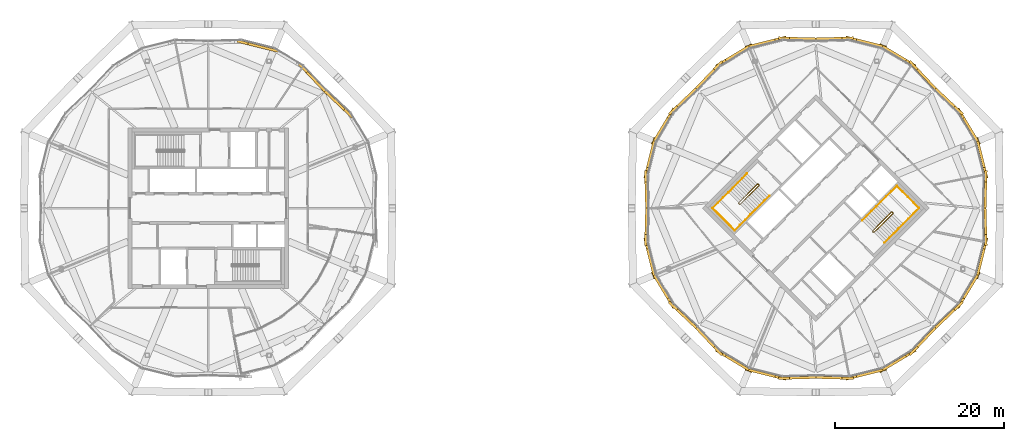
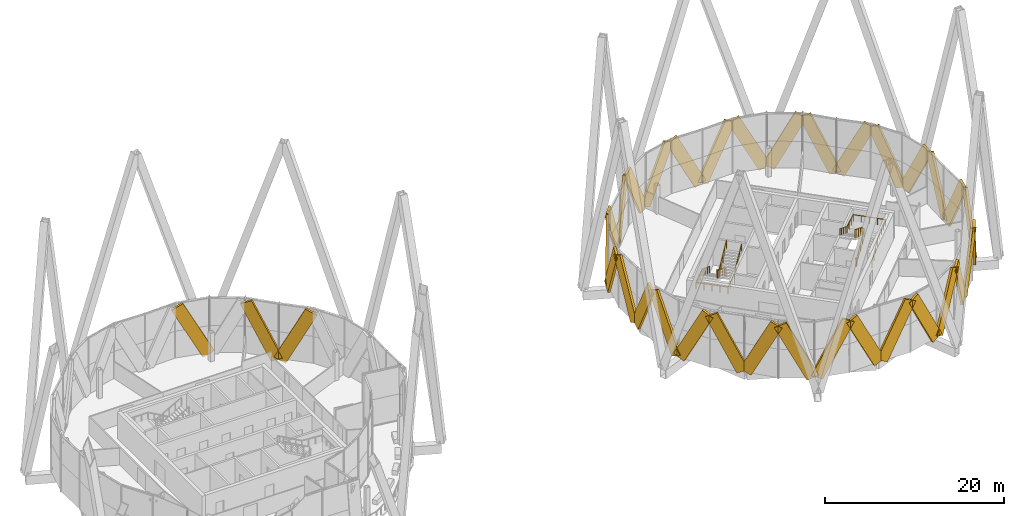
# One storey, part 52 of 53: 35 coverings, 4 railings.
"""IFC4 building model written with IfcOpenShell, lengths in metres."""

from ifc_helpers import new_model, si_unit, direction, frame, origin, origin_2d, place, context, subcontext, project, spatial, rectangle, circle, extrude, material, material_profile, profile_set, type_object, element, save


model = new_model("IFC4")

# Units and contexts
model_context = context("Model", 3, precision=1e-05, world=origin(), true_north=direction((0.0, 1.0)))
body_context = subcontext(model_context, "Body", "Model", "MODEL_VIEW")
ifc_project = project(units=[si_unit("LENGTHUNIT", "METRE"), si_unit("AREAUNIT", "SQUARE_METRE"), si_unit("VOLUMEUNIT", "CUBIC_METRE"), si_unit("PLANEANGLEUNIT", "RADIAN"), si_unit("MASSUNIT", "GRAM", prefix="KILO")], contexts=[model_context])

# Site, building, storey
site_placement = place(None, origin())
site = spatial("IfcSite", under=ifc_project, at=site_placement, CompositionType="ELEMENT")
building_placement = place(site_placement, origin())
building = spatial("IfcBuilding", under=site, at=building_placement, Name="Ogive Gate Towers", CompositionType="ELEMENT")
storey_placement = place(building_placement, frame((0.0, 0.0, 240.60009765625)))
storey = spatial("IfcBuildingStorey", under=building, at=storey_placement, Name="L57", CompositionType="ELEMENT", Elevation=240.60009765625)

# Coverings
ifc_material_1 = material(Name="Pale metal aluminium", Category="aluminium")
ifc_material_profile = material_profile(ifc_material_1, rectangle(XDim=0.300048828125, YDim=1.5, at=origin_2d()), Name="1500 x 300 pale metal aluminium")
ifc_profile_set = profile_set([ifc_material_profile], Name="Pale metal aluminium")
covering_type = type_object("IfcCoveringType", Name="Facade fin 1500 x 300", PredefinedType="CLADDING", material=ifc_profile_set)
covering_1_placement = place(storey_placement, frame((-22.025146484375, 13.722412109375, -0.010986328125), z_axis=(0.328717097101, -0.310616406795, 0.891887054454), x_axis=(0.686812101579, 0.72683501369, 0.0)))
element("IfcCovering", 1, at=covering_1_placement, inside=storey, type_object=covering_type, Name="Facade fin", PredefinedType="CLADDING", context=body_context, shape_type="SweptSolid", body=[
    extrude(rectangle(XDim=0.300048828125, YDim=1.5, at=origin_2d()), origin(), (0.0, 0.0, 1.0), 7.98486328125),
])
covering_2_placement = place(storey_placement, frame((-28.377685546875, 18.769287109375, -0.0068359375), z_axis=(-0.444080094306, 0.110829306845, 0.889106143599), x_axis=(-0.242143432001, -0.970240464183, 0.0)))
element("IfcCovering", 2, at=covering_2_placement, inside=storey, type_object=covering_type, Name="Facade fin", PredefinedType="CLADDING", context=body_context, shape_type="SweptSolid", body=[
    extrude(rectangle(XDim=0.300048828125, YDim=1.5, at=origin_2d()), origin(), (0.0, 0.0, 1.0), 8.000732421875),
])
covering_3_placement = place(storey_placement, frame((-22.277587890625, 13.974853515625, -0.010986328125), z_axis=(-0.310616406795, 0.328717097101, 0.891887054454), x_axis=(-0.72683501369, -0.686812101579, 0.0)))
element("IfcCovering", 3, at=covering_3_placement, inside=storey, type_object=covering_type, Name="Facade fin", PredefinedType="CLADDING", context=body_context, shape_type="SweptSolid", body=[
    extrude(rectangle(XDim=0.300048828125, YDim=1.5, at=origin_2d()), origin(), (0.0, 0.0, 1.0), 7.98486328125),
])
covering_4_placement = place(storey_placement, frame((56.044921875, 0.165283203125, -0.010986328125), z_axis=(0.012780311181, 0.45211115176, 0.891870041038), x_axis=(-0.999600697307, 0.02825678579, 0.0)))
element("IfcCovering", 4, at=covering_4_placement, inside=storey, type_object=covering_type, Name="Facade fin", PredefinedType="CLADDING", context=body_context, shape_type="SweptSolid", body=[
    extrude(rectangle(XDim=0.300048828125, YDim=1.5, at=origin_2d()), origin(), (0.0, 0.0, 1.0), 7.985107421875),
])
for number, where, z_axis, x_axis, name in (
    (5, (55.2158203125, 7.733642578125, -0.0068359375), (0.110800668256, -0.444057098445, 0.889121198282), (0.970252218075, 0.242096330664, 0.0), "Facade fin"),
    (6, (55.055908203125, 8.119140625, -0.0068359375), (-0.235608124143, 0.392364882817, 0.889122382223), (-0.857310495392, -0.514799683848, 0.0), "Facade fin"),
):
    element("IfcCovering", number, at=place(storey_placement, frame(where, z_axis=z_axis, x_axis=x_axis)), inside=storey, type_object=covering_type, Name=name, PredefinedType="CLADDING", context=body_context, shape_type="SweptSolid", body=[
        extrude(rectangle(XDim=0.300048828125, YDim=1.5, at=origin_2d()), origin(), (0.0, 0.0, 1.0), 8.000732421875),
    ])
for number, where, z_axis, x_axis, name in (
    (7, (50.290771484375, 14.056884765625, -0.010986328125), (0.328717097101, -0.310616406795, 0.891887054454), (0.686812101579, 0.72683501369, 0.0), "Facade fin"),
    (8, (50.056884765625, 14.290771484375, -0.010986328125), (-0.310616406795, 0.328717097101, 0.891887054454), (-0.72683501369, -0.686812101579, 0.0), "Facade fin"),
):
    element("IfcCovering", number, at=place(storey_placement, frame(where, z_axis=z_axis, x_axis=x_axis)), inside=storey, type_object=covering_type, Name=name, PredefinedType="CLADDING", context=body_context, shape_type="SweptSolid", body=[
        extrude(rectangle(XDim=0.300048828125, YDim=1.5, at=origin_2d()), origin(), (0.0, 0.0, 1.0), 7.98486328125),
    ])
for number, where, z_axis, x_axis, name in (
    (9, (44.119140625, 19.055908203125, -0.0068359375), (0.392364882817, -0.235608124143, 0.889122382223), (0.514799683848, 0.857310495392, 0.0), "Facade fin"),
    (10, (43.733642578125, 19.2158203125, -0.0068359375), (-0.444057098445, 0.110800668256, 0.889121198282), (-0.242096330664, -0.970252218075, 0.0), "Facade fin"),
):
    element("IfcCovering", number, at=place(storey_placement, frame(where, z_axis=z_axis, x_axis=x_axis)), inside=storey, type_object=covering_type, Name=name, PredefinedType="CLADDING", context=body_context, shape_type="SweptSolid", body=[
        extrude(rectangle(XDim=0.300048828125, YDim=1.5, at=origin_2d()), origin(), (0.0, 0.0, 1.0), 8.000732421875),
    ])
for number, where, z_axis, x_axis, name in (
    (11, (36.165283203125, 20.044921875, -0.010986328125), (0.45211115176, 0.012780311181, 0.891870041038), (-0.02825678579, 0.999600697307, 0.0), "Facade fin"),
    (12, (35.834716796875, 20.044921875, -0.010986328125), (-0.45211115176, 0.012780311181, 0.891870041038), (-0.02825678579, -0.999600697307, 0.0), "Facade fin"),
):
    element("IfcCovering", number, at=place(storey_placement, frame(where, z_axis=z_axis, x_axis=x_axis)), inside=storey, type_object=covering_type, Name=name, PredefinedType="CLADDING", context=body_context, shape_type="SweptSolid", body=[
        extrude(rectangle(XDim=0.300048828125, YDim=1.5, at=origin_2d()), origin(), (0.0, 0.0, 1.0), 7.985107421875),
    ])
for number, where, z_axis, x_axis, name in (
    (13, (28.266357421875, 19.2158203125, -0.0068359375), (0.444057098445, 0.110800668256, 0.889121198282), (-0.242096330664, 0.970252218075, 0.0), "Facade fin"),
    (14, (27.880859375, 19.055908203125, -0.0068359375), (-0.392364882817, -0.235608124143, 0.889122382223), (0.514799683848, -0.857310495392, 0.0), "Facade fin"),
):
    element("IfcCovering", number, at=place(storey_placement, frame(where, z_axis=z_axis, x_axis=x_axis)), inside=storey, type_object=covering_type, Name=name, PredefinedType="CLADDING", context=body_context, shape_type="SweptSolid", body=[
        extrude(rectangle(XDim=0.300048828125, YDim=1.5, at=origin_2d()), origin(), (0.0, 0.0, 1.0), 8.000732421875),
    ])
for number, where, z_axis, x_axis, name in (
    (15, (21.943115234375, 14.290771484375, -0.010986328125), (0.310616406795, 0.328717097101, 0.891887054454), (-0.72683501369, 0.686812101579, 0.0), "Facade fin"),
    (16, (21.709228515625, 14.056884765625, -0.010986328125), (-0.328717097101, -0.310616406795, 0.891887054454), (0.686812101579, -0.72683501369, 0.0), "Facade fin"),
):
    element("IfcCovering", number, at=place(storey_placement, frame(where, z_axis=z_axis, x_axis=x_axis)), inside=storey, type_object=covering_type, Name=name, PredefinedType="CLADDING", context=body_context, shape_type="SweptSolid", body=[
        extrude(rectangle(XDim=0.300048828125, YDim=1.5, at=origin_2d()), origin(), (0.0, 0.0, 1.0), 7.98486328125),
    ])
for number, where, z_axis, x_axis, name in (
    (17, (16.944091796875, 8.119140625, -0.0068359375), (0.235608124143, 0.392364882817, 0.889122382223), (-0.857310495392, 0.514799683848, 0.0), "Facade fin"),
    (18, (16.7841796875, 7.733642578125, -0.0068359375), (-0.110800668256, -0.444057098445, 0.889121198282), (0.970252218075, -0.242096330664, 0.0), "Facade fin"),
):
    element("IfcCovering", number, at=place(storey_placement, frame(where, z_axis=z_axis, x_axis=x_axis)), inside=storey, type_object=covering_type, Name=name, PredefinedType="CLADDING", context=body_context, shape_type="SweptSolid", body=[
        extrude(rectangle(XDim=0.300048828125, YDim=1.5, at=origin_2d()), origin(), (0.0, 0.0, 1.0), 8.000732421875),
    ])
for number, where, z_axis, x_axis, name in (
    (19, (15.955078125, 0.165283203125, -0.010986328125), (-0.012780311181, 0.45211115176, 0.891870041038), (-0.999600697307, -0.02825678579, 0.0), "Facade fin"),
    (20, (15.955078125, -0.165283203125, -0.010986328125), (-0.012780311181, -0.45211115176, 0.891870041038), (0.999600697307, -0.02825678579, 0.0), "Facade fin"),
):
    element("IfcCovering", number, at=place(storey_placement, frame(where, z_axis=z_axis, x_axis=x_axis)), inside=storey, type_object=covering_type, Name=name, PredefinedType="CLADDING", context=body_context, shape_type="SweptSolid", body=[
        extrude(rectangle(XDim=0.300048828125, YDim=1.5, at=origin_2d()), origin(), (0.0, 0.0, 1.0), 7.985107421875),
    ])
for number, where, z_axis, x_axis, name in (
    (21, (16.7841796875, -7.733642578125, -0.0068359375), (-0.110800668256, 0.444057098445, 0.889121198282), (-0.970252218075, -0.242096330664, 0.0), "Facade fin"),
    (22, (16.944091796875, -8.119140625, -0.0068359375), (0.235608124143, -0.392364882817, 0.889122382223), (0.857310495392, 0.514799683848, 0.0), "Facade fin"),
):
    element("IfcCovering", number, at=place(storey_placement, frame(where, z_axis=z_axis, x_axis=x_axis)), inside=storey, type_object=covering_type, Name=name, PredefinedType="CLADDING", context=body_context, shape_type="SweptSolid", body=[
        extrude(rectangle(XDim=0.300048828125, YDim=1.5, at=origin_2d()), origin(), (0.0, 0.0, 1.0), 8.000732421875),
    ])
for number, where, z_axis, x_axis, name in (
    (23, (21.709228515625, -14.056884765625, -0.010986328125), (-0.328717097101, 0.310616406795, 0.891887054454), (-0.686812101579, -0.72683501369, 0.0), "Facade fin"),
    (24, (21.943115234375, -14.290771484375, -0.010986328125), (0.310616406795, -0.328717097101, 0.891887054454), (0.72683501369, 0.686812101579, 0.0), "Facade fin"),
):
    element("IfcCovering", number, at=place(storey_placement, frame(where, z_axis=z_axis, x_axis=x_axis)), inside=storey, type_object=covering_type, Name=name, PredefinedType="CLADDING", context=body_context, shape_type="SweptSolid", body=[
        extrude(rectangle(XDim=0.300048828125, YDim=1.5, at=origin_2d()), origin(), (0.0, 0.0, 1.0), 7.98486328125),
    ])
for number, where, z_axis, x_axis, name in (
    (25, (27.880859375, -19.055908203125, -0.0068359375), (-0.392364882817, 0.235608124143, 0.889122382223), (-0.514799683848, -0.857310495392, 0.0), "Facade fin"),
    (26, (28.266357421875, -19.2158203125, -0.0068359375), (0.444057098445, -0.110800668256, 0.889121198282), (0.242096330664, 0.970252218075, 0.0), "Facade fin"),
):
    element("IfcCovering", number, at=place(storey_placement, frame(where, z_axis=z_axis, x_axis=x_axis)), inside=storey, type_object=covering_type, Name=name, PredefinedType="CLADDING", context=body_context, shape_type="SweptSolid", body=[
        extrude(rectangle(XDim=0.300048828125, YDim=1.5, at=origin_2d()), origin(), (0.0, 0.0, 1.0), 8.000732421875),
    ])
for number, where, z_axis, x_axis, name in (
    (27, (35.834716796875, -20.044921875, -0.010986328125), (-0.45211115176, -0.012780311181, 0.891870041038), (0.02825678579, -0.999600697307, 0.0), "Facade fin"),
    (28, (36.165283203125, -20.044921875, -0.010986328125), (0.45211115176, -0.012780311181, 0.891870041038), (0.02825678579, 0.999600697307, 0.0), "Facade fin"),
):
    element("IfcCovering", number, at=place(storey_placement, frame(where, z_axis=z_axis, x_axis=x_axis)), inside=storey, type_object=covering_type, Name=name, PredefinedType="CLADDING", context=body_context, shape_type="SweptSolid", body=[
        extrude(rectangle(XDim=0.300048828125, YDim=1.5, at=origin_2d()), origin(), (0.0, 0.0, 1.0), 7.985107421875),
    ])
for number, where, z_axis, x_axis, name in (
    (29, (43.733642578125, -19.2158203125, -0.0068359375), (-0.444057098445, -0.110800668256, 0.889121198282), (0.242096330664, -0.970252218075, 0.0), "Facade fin"),
    (30, (44.119140625, -19.055908203125, -0.0068359375), (0.392364882817, 0.235608124143, 0.889122382223), (-0.514799683848, 0.857310495392, 0.0), "Facade fin"),
):
    element("IfcCovering", number, at=place(storey_placement, frame(where, z_axis=z_axis, x_axis=x_axis)), inside=storey, type_object=covering_type, Name=name, PredefinedType="CLADDING", context=body_context, shape_type="SweptSolid", body=[
        extrude(rectangle(XDim=0.300048828125, YDim=1.5, at=origin_2d()), origin(), (0.0, 0.0, 1.0), 8.000732421875),
    ])
for number, where, z_axis, x_axis, name in (
    (31, (50.056884765625, -14.290771484375, -0.010986328125), (-0.310616406795, -0.328717097101, 0.891887054454), (0.72683501369, -0.686812101579, 0.0), "Facade fin"),
    (32, (50.290771484375, -14.056884765625, -0.010986328125), (0.328717097101, 0.310616406795, 0.891887054454), (-0.686812101579, 0.72683501369, 0.0), "Facade fin"),
):
    element("IfcCovering", number, at=place(storey_placement, frame(where, z_axis=z_axis, x_axis=x_axis)), inside=storey, type_object=covering_type, Name=name, PredefinedType="CLADDING", context=body_context, shape_type="SweptSolid", body=[
        extrude(rectangle(XDim=0.300048828125, YDim=1.5, at=origin_2d()), origin(), (0.0, 0.0, 1.0), 7.98486328125),
    ])
for number, where, z_axis, x_axis, name in (
    (33, (55.055908203125, -8.119140625, -0.0068359375), (-0.235608124143, -0.392364882817, 0.889122382223), (0.857310495392, -0.514799683848, 0.0), "Facade fin"),
    (34, (55.2158203125, -7.733642578125, -0.0068359375), (0.110800668256, 0.444057098445, 0.889121198282), (-0.970252218075, 0.242096330664, 0.0), "Facade fin"),
):
    element("IfcCovering", number, at=place(storey_placement, frame(where, z_axis=z_axis, x_axis=x_axis)), inside=storey, type_object=covering_type, Name=name, PredefinedType="CLADDING", context=body_context, shape_type="SweptSolid", body=[
        extrude(rectangle(XDim=0.300048828125, YDim=1.5, at=origin_2d()), origin(), (0.0, 0.0, 1.0), 8.000732421875),
    ])
covering_5_placement = place(storey_placement, frame((56.044921875, -0.165283203125, -0.010986328125), z_axis=(0.012780311181, -0.45211115176, 0.891870041038), x_axis=(0.999600697307, 0.02825678579, 0.0)))
element("IfcCovering", 35, at=covering_5_placement, inside=storey, type_object=covering_type, Name="Facade fin", PredefinedType="CLADDING", context=body_context, shape_type="SweptSolid", body=[
    extrude(rectangle(XDim=0.300048828125, YDim=1.5, at=origin_2d()), origin(), (0.0, 0.0, 1.0), 7.985107421875),
])

# Railings
ifc_material_2 = material(Name="Stainless steel", Category="steel")
railing_type_1 = type_object("IfcRailingType", Name="Stair guard 1100", PredefinedType="GUARDRAIL", material=ifc_material_2)
railing_1_placement = place(storey_placement, frame((29.15869140625, 2.8603515625, 0.0)))
element("IfcRailing", 36, at=railing_1_placement, inside=storey, type_object=railing_type_1, Name="L57 ST1 stair guard 1", PredefinedType="GUARDRAIL", context=body_context, shape_type="SweptSolid", body=[
    extrude(circle(Radius=0.02392578125, at=origin_2d()), frame((0.0, 0.0, 1.076171875), z_axis=(0.707106781187, -0.707106781187, 0.0), x_axis=(0.707106781187, 0.707106781187, 0.0)), (0.0, 0.0, 1.0), 0.14501953125),
    extrude(circle(Radius=0.02392578125, at=origin_2d()), frame((0.1025390625, -0.1025390625, 1.076171875), z_axis=(-0.645571447971, 0.382425963537, 0.661050594114), x_axis=(-0.509669330572, -0.860370369942, 0.0)), (0.0, 0.0, 1.0), 0.26806640625),
    extrude(circle(Radius=0.02392578125, at=origin_2d()), frame((-0.070556640625, 0.0, 1.25341796875), z_axis=(-0.61558473135, -0.61558473135, 0.49204763698), x_axis=(0.707106781187, -0.707106781187, 0.0)), (0.0, 0.0, 1.0), 3.602783203125),
    extrude(circle(Radius=0.02392578125, at=origin_2d()), frame((-2.288330078125, -2.2177734375, 3.02587890625), z_axis=(0.0, -1.0, 0.0), x_axis=(1.0, 0.0, 0.0)), (0.0, 0.0, 1.0), 0.07080078125),
    extrude(circle(Radius=0.02392578125, at=origin_2d()), frame((-2.288330078125, -2.28857421875, 3.02587890625), z_axis=(0.707106781187, -0.707106781187, 0.0), x_axis=(0.707106781187, 0.707106781187, 0.0)), (0.0, 0.0, 1.0), 0.14501953125),
    extrude(circle(Radius=0.02392578125, at=origin_2d()), frame((-2.185791015625, -2.39111328125, 3.02587890625), z_axis=(0.369845645421, 0.0, 0.929093213065), x_axis=(0.0, 1.0, 0.0)), (0.0, 0.0, 1.0), 0.190673828125),
    extrude(circle(Radius=0.02392578125, at=origin_2d()), frame((-2.115234375, -2.39111328125, 3.203125), z_axis=(0.61558473135, 0.61558473135, 0.49204763698), x_axis=(-0.707106781187, 0.707106781187, 0.0)), (0.0, 0.0, 1.0), 3.602783203125),
    extrude(circle(Radius=0.02099609375, at=origin_2d()), origin(), (0.0, 0.0, 1.0), 1.052001953125),
    extrude(circle(Radius=0.02099609375, at=origin_2d()), frame((0.1025390625, -0.1025390625, 0.0)), (0.0, 0.0, 1.0), 1.052001953125),
    extrude(circle(Radius=0.02099609375, at=origin_2d()), frame((-0.070556640625, 0.0, 0.17724609375)), (0.0, 0.0, 1.0), 1.052001953125),
    extrude(circle(Radius=0.02099609375, at=origin_2d()), frame((-0.625, -0.554443359375, 0.620361328125)), (0.0, 0.0, 1.0), 1.052001953125),
    extrude(circle(Radius=0.02099609375, at=origin_2d()), frame((-1.179443359375, -1.10888671875, 1.0634765625)), (0.0, 0.0, 1.0), 1.052001953125),
    extrude(circle(Radius=0.02099609375, at=origin_2d()), frame((-1.73388671875, -1.663330078125, 1.5068359375)), (0.0, 0.0, 1.0), 1.052001953125),
    extrude(circle(Radius=0.02099609375, at=origin_2d()), frame((-2.288330078125, -2.2177734375, 1.949951171875)), (0.0, 0.0, 1.0), 1.052001953125),
    extrude(circle(Radius=0.02099609375, at=origin_2d()), frame((-2.288330078125, -2.28857421875, 1.949951171875)), (0.0, 0.0, 1.0), 1.052001953125),
    extrude(circle(Radius=0.02099609375, at=origin_2d()), frame((-2.185791015625, -2.39111328125, 1.949951171875)), (0.0, 0.0, 1.0), 1.052001953125),
    extrude(circle(Radius=0.02099609375, at=origin_2d()), frame((-2.115234375, -2.39111328125, 2.127197265625)), (0.0, 0.0, 1.0), 1.052001953125),
    extrude(circle(Radius=0.02099609375, at=origin_2d()), frame((-1.560791015625, -1.836669921875, 2.5703125)), (0.0, 0.0, 1.0), 1.052001953125),
    extrude(circle(Radius=0.02099609375, at=origin_2d()), frame((-1.00634765625, -1.2822265625, 3.013671875)), (0.0, 0.0, 1.0), 1.052001953125),
    extrude(circle(Radius=0.02099609375, at=origin_2d()), frame((-0.451904296875, -0.727783203125, 3.456787109375)), (0.0, 0.0, 1.0), 1.052001953125),
    extrude(circle(Radius=0.02099609375, at=origin_2d()), frame((0.1025390625, -0.17333984375, 3.89990234375)), (0.0, 0.0, 1.0), 1.052001953125),
])
railing_2_placement = place(storey_placement, frame((42.84130859375, -2.8603515625, 0.0)))
element("IfcRailing", 37, at=railing_2_placement, inside=storey, type_object=railing_type_1, Name="L57 ST2 stair guard 1", PredefinedType="GUARDRAIL", context=body_context, shape_type="SweptSolid", body=[
    extrude(circle(Radius=0.02392578125, at=origin_2d()), frame((0.0, 0.0, 1.076171875), z_axis=(-0.707106781187, 0.707106781187, 0.0), x_axis=(-0.707106781187, -0.707106781187, 0.0)), (0.0, 0.0, 1.0), 0.14501953125),
    extrude(circle(Radius=0.02392578125, at=origin_2d()), frame((-0.1025390625, 0.1025390625, 1.076171875), z_axis=(0.645571447971, -0.382425963537, 0.661050594114), x_axis=(0.509669330572, 0.860370369942, 0.0)), (0.0, 0.0, 1.0), 0.26806640625),
    extrude(circle(Radius=0.02392578125, at=origin_2d()), frame((0.070556640625, 0.0, 1.25341796875), z_axis=(0.61558473135, 0.61558473135, 0.49204763698), x_axis=(-0.707106781187, 0.707106781187, 0.0)), (0.0, 0.0, 1.0), 3.602783203125),
    extrude(circle(Radius=0.02392578125, at=origin_2d()), frame((2.288330078125, 2.2177734375, 3.02587890625), z_axis=(0.0, 1.0, 0.0), x_axis=(-1.0, 0.0, 0.0)), (0.0, 0.0, 1.0), 0.07080078125),
    extrude(circle(Radius=0.02392578125, at=origin_2d()), frame((2.288330078125, 2.28857421875, 3.02587890625), z_axis=(-0.707106781187, 0.707106781187, 0.0), x_axis=(-0.707106781187, -0.707106781187, 0.0)), (0.0, 0.0, 1.0), 0.14501953125),
    extrude(circle(Radius=0.02392578125, at=origin_2d()), frame((2.185791015625, 2.39111328125, 3.02587890625), z_axis=(-0.369845645421, 0.0, 0.929093213065), x_axis=(0.0, -1.0, 0.0)), (0.0, 0.0, 1.0), 0.190673828125),
    extrude(circle(Radius=0.02392578125, at=origin_2d()), frame((2.115234375, 2.39111328125, 3.203125), z_axis=(-0.61558473135, -0.61558473135, 0.49204763698), x_axis=(0.707106781187, -0.707106781187, 0.0)), (0.0, 0.0, 1.0), 3.602783203125),
    extrude(circle(Radius=0.02099609375, at=origin_2d()), origin(), (0.0, 0.0, 1.0), 1.052001953125),
    extrude(circle(Radius=0.02099609375, at=origin_2d()), frame((-0.1025390625, 0.1025390625, 0.0)), (0.0, 0.0, 1.0), 1.052001953125),
    extrude(circle(Radius=0.02099609375, at=origin_2d()), frame((0.070556640625, 0.0, 0.17724609375)), (0.0, 0.0, 1.0), 1.052001953125),
    extrude(circle(Radius=0.02099609375, at=origin_2d()), frame((0.625, 0.554443359375, 0.620361328125)), (0.0, 0.0, 1.0), 1.052001953125),
    extrude(circle(Radius=0.02099609375, at=origin_2d()), frame((1.179443359375, 1.10888671875, 1.0634765625)), (0.0, 0.0, 1.0), 1.052001953125),
    extrude(circle(Radius=0.02099609375, at=origin_2d()), frame((1.73388671875, 1.663330078125, 1.5068359375)), (0.0, 0.0, 1.0), 1.052001953125),
    extrude(circle(Radius=0.02099609375, at=origin_2d()), frame((2.288330078125, 2.2177734375, 1.949951171875)), (0.0, 0.0, 1.0), 1.052001953125),
    extrude(circle(Radius=0.02099609375, at=origin_2d()), frame((2.288330078125, 2.28857421875, 1.949951171875)), (0.0, 0.0, 1.0), 1.052001953125),
    extrude(circle(Radius=0.02099609375, at=origin_2d()), frame((2.185791015625, 2.39111328125, 1.949951171875)), (0.0, 0.0, 1.0), 1.052001953125),
    extrude(circle(Radius=0.02099609375, at=origin_2d()), frame((2.115234375, 2.39111328125, 2.127197265625)), (0.0, 0.0, 1.0), 1.052001953125),
    extrude(circle(Radius=0.02099609375, at=origin_2d()), frame((1.560791015625, 1.836669921875, 2.5703125)), (0.0, 0.0, 1.0), 1.052001953125),
    extrude(circle(Radius=0.02099609375, at=origin_2d()), frame((1.00634765625, 1.2822265625, 3.013671875)), (0.0, 0.0, 1.0), 1.052001953125),
    extrude(circle(Radius=0.02099609375, at=origin_2d()), frame((0.451904296875, 0.727783203125, 3.456787109375)), (0.0, 0.0, 1.0), 1.052001953125),
    extrude(circle(Radius=0.02099609375, at=origin_2d()), frame((-0.1025390625, 0.17333984375, 3.89990234375)), (0.0, 0.0, 1.0), 1.052001953125),
])
railing_type_2 = type_object("IfcRailingType", Name="Stair handrail 900", PredefinedType="HANDRAIL", material=ifc_material_2)
railing_3_placement = place(storey_placement, frame((27.857666015625, 4.090576171875, 0.17724609375)))
element("IfcRailing", 38, at=railing_3_placement, inside=storey, type_object=railing_type_2, Name="L57 ST1 stair handrail 1", PredefinedType="HANDRAIL", context=body_context, shape_type="SweptSolid", body=[
    extrude(circle(Radius=0.02392578125, at=origin_2d()), frame((0.0, 0.0, 0.8759765625), z_axis=(-0.61558473135, -0.61558473135, 0.49204763698), x_axis=(0.707106781187, -0.707106781187, 0.0)), (0.0, 0.0, 1.0), 3.602783203125),
    extrude(circle(Radius=0.02392578125, at=origin_2d()), frame((-2.2177734375, -2.2177734375, 2.6484375), z_axis=(-0.707106781187, -0.707106781187, 0.0), x_axis=(0.707106781187, -0.707106781187, 0.0)), (0.0, 0.0, 1.0), 2.6484375),
    extrude(circle(Radius=0.02392578125, at=origin_2d()), frame((-4.090576171875, -4.090576171875, 2.6484375), z_axis=(0.707106781187, -0.707106781187, 0.0), x_axis=(0.707106781187, 0.707106781187, 0.0)), (0.0, 0.0, 1.0), 3.72509765625),
    extrude(circle(Radius=0.02392578125, at=origin_2d()), frame((-1.45654296875, -6.724609375, 2.6484375), z_axis=(0.705482886452, 0.705574853978, 0.066768423356), x_axis=(-0.70715286629, 0.70706069308, 0.0)), (0.0, 0.0, 1.0), 2.654541015625),
    extrude(circle(Radius=0.02392578125, at=origin_2d()), frame((0.416259765625, -4.8515625, 2.82568359375), z_axis=(0.615610411033, 0.615542642384, 0.4920681632), x_axis=(-0.70706785752, 0.70714570271, 0.0)), (0.0, 0.0, 1.0), 3.6025390625),
    extrude(circle(Radius=0.02099609375, at=origin_2d()), origin(), (0.0, 0.0, 1.0), 0.851806640625),
    extrude(circle(Radius=0.02099609375, at=origin_2d()), frame((-0.554443359375, -0.554443359375, 0.443115234375)), (0.0, 0.0, 1.0), 0.851806640625),
    extrude(circle(Radius=0.02099609375, at=origin_2d()), frame((-1.10888671875, -1.10888671875, 0.88623046875)), (0.0, 0.0, 1.0), 0.851806640625),
    extrude(circle(Radius=0.02099609375, at=origin_2d()), frame((-1.663330078125, -1.663330078125, 1.32958984375)), (0.0, 0.0, 1.0), 0.851806640625),
    extrude(circle(Radius=0.02099609375, at=origin_2d()), frame((-2.2177734375, -2.2177734375, 1.772705078125)), (0.0, 0.0, 1.0), 0.851806640625),
    extrude(circle(Radius=0.02099609375, at=origin_2d()), frame((-2.842041015625, -2.842041015625, 1.772705078125)), (0.0, 0.0, 1.0), 0.851806640625),
    extrude(circle(Radius=0.02099609375, at=origin_2d()), frame((-3.46630859375, -3.46630859375, 1.772705078125)), (0.0, 0.0, 1.0), 0.851806640625),
    extrude(circle(Radius=0.02099609375, at=origin_2d()), frame((-4.090576171875, -4.090576171875, 1.772705078125)), (0.0, 0.0, 1.0), 0.851806640625),
    extrude(circle(Radius=0.02099609375, at=origin_2d()), frame((-3.43212890625, -4.7490234375, 1.772705078125)), (0.0, 0.0, 1.0), 0.851806640625),
    extrude(circle(Radius=0.02099609375, at=origin_2d()), frame((-2.7734375, -5.40771484375, 1.772705078125)), (0.0, 0.0, 1.0), 0.851806640625),
    extrude(circle(Radius=0.02099609375, at=origin_2d()), frame((-2.114990234375, -6.066162109375, 1.772705078125)), (0.0, 0.0, 1.0), 0.851806640625),
    extrude(circle(Radius=0.02099609375, at=origin_2d()), frame((-1.45654296875, -6.724609375, 1.772705078125)), (0.0, 0.0, 1.0), 0.851806640625),
    extrude(circle(Radius=0.02099609375, at=origin_2d()), frame((-0.832275390625, -6.100341796875, 1.831787109375)), (0.0, 0.0, 1.0), 0.851806640625),
    extrude(circle(Radius=0.02099609375, at=origin_2d()), frame((-0.2080078125, -5.475830078125, 1.890869140625)), (0.0, 0.0, 1.0), 0.851806640625),
    extrude(circle(Radius=0.02099609375, at=origin_2d()), frame((0.416259765625, -4.8515625, 1.949951171875)), (0.0, 0.0, 1.0), 0.851806640625),
    extrude(circle(Radius=0.02099609375, at=origin_2d()), frame((0.970703125, -4.297119140625, 2.39306640625)), (0.0, 0.0, 1.0), 0.851806640625),
    extrude(circle(Radius=0.02099609375, at=origin_2d()), frame((1.525146484375, -3.74267578125, 2.83642578125)), (0.0, 0.0, 1.0), 0.851806640625),
    extrude(circle(Radius=0.02099609375, at=origin_2d()), frame((2.07958984375, -3.1884765625, 3.279541015625)), (0.0, 0.0, 1.0), 0.851806640625),
    extrude(circle(Radius=0.02099609375, at=origin_2d()), frame((2.634033203125, -2.634033203125, 3.72265625)), (0.0, 0.0, 1.0), 0.851806640625),
])
railing_4_placement = place(storey_placement, frame((44.142333984375, -4.090576171875, 0.17724609375)))
element("IfcRailing", 39, at=railing_4_placement, inside=storey, type_object=railing_type_2, Name="L57 ST2 stair handrail 1", PredefinedType="HANDRAIL", context=body_context, shape_type="SweptSolid", body=[
    extrude(circle(Radius=0.02392578125, at=origin_2d()), frame((0.0, 0.0, 0.8759765625), z_axis=(0.61558473135, 0.61558473135, 0.49204763698), x_axis=(-0.707106781187, 0.707106781187, 0.0)), (0.0, 0.0, 1.0), 3.602783203125),
    extrude(circle(Radius=0.02392578125, at=origin_2d()), frame((2.2177734375, 2.2177734375, 2.6484375), z_axis=(0.707106781187, 0.707106781187, 0.0), x_axis=(-0.707106781187, 0.707106781187, 0.0)), (0.0, 0.0, 1.0), 2.6484375),
    extrude(circle(Radius=0.02392578125, at=origin_2d()), frame((4.090576171875, 4.090576171875, 2.6484375), z_axis=(-0.707106781187, 0.707106781187, 0.0), x_axis=(-0.707106781187, -0.707106781187, 0.0)), (0.0, 0.0, 1.0), 3.72509765625),
    extrude(circle(Radius=0.02392578125, at=origin_2d()), frame((1.45654296875, 6.724609375, 2.6484375), z_axis=(-0.705482886452, -0.705574853978, 0.066768423356), x_axis=(0.70715286629, -0.70706069308, 0.0)), (0.0, 0.0, 1.0), 2.654541015625),
    extrude(circle(Radius=0.02392578125, at=origin_2d()), frame((-0.416259765625, 4.8515625, 2.82568359375), z_axis=(-0.615610411033, -0.615542642384, 0.4920681632), x_axis=(0.70706785752, -0.70714570271, 0.0)), (0.0, 0.0, 1.0), 3.6025390625),
    extrude(circle(Radius=0.02099609375, at=origin_2d()), origin(), (0.0, 0.0, 1.0), 0.851806640625),
    extrude(circle(Radius=0.02099609375, at=origin_2d()), frame((0.554443359375, 0.554443359375, 0.443115234375)), (0.0, 0.0, 1.0), 0.851806640625),
    extrude(circle(Radius=0.02099609375, at=origin_2d()), frame((1.10888671875, 1.10888671875, 0.88623046875)), (0.0, 0.0, 1.0), 0.851806640625),
    extrude(circle(Radius=0.02099609375, at=origin_2d()), frame((1.663330078125, 1.663330078125, 1.32958984375)), (0.0, 0.0, 1.0), 0.851806640625),
    extrude(circle(Radius=0.02099609375, at=origin_2d()), frame((2.2177734375, 2.2177734375, 1.772705078125)), (0.0, 0.0, 1.0), 0.851806640625),
    extrude(circle(Radius=0.02099609375, at=origin_2d()), frame((2.842041015625, 2.842041015625, 1.772705078125)), (0.0, 0.0, 1.0), 0.851806640625),
    extrude(circle(Radius=0.02099609375, at=origin_2d()), frame((3.46630859375, 3.46630859375, 1.772705078125)), (0.0, 0.0, 1.0), 0.851806640625),
    extrude(circle(Radius=0.02099609375, at=origin_2d()), frame((4.090576171875, 4.090576171875, 1.772705078125)), (0.0, 0.0, 1.0), 0.851806640625),
    extrude(circle(Radius=0.02099609375, at=origin_2d()), frame((3.43212890625, 4.7490234375, 1.772705078125)), (0.0, 0.0, 1.0), 0.851806640625),
    extrude(circle(Radius=0.02099609375, at=origin_2d()), frame((2.7734375, 5.40771484375, 1.772705078125)), (0.0, 0.0, 1.0), 0.851806640625),
    extrude(circle(Radius=0.02099609375, at=origin_2d()), frame((2.114990234375, 6.066162109375, 1.772705078125)), (0.0, 0.0, 1.0), 0.851806640625),
    extrude(circle(Radius=0.02099609375, at=origin_2d()), frame((1.45654296875, 6.724609375, 1.772705078125)), (0.0, 0.0, 1.0), 0.851806640625),
    extrude(circle(Radius=0.02099609375, at=origin_2d()), frame((0.832275390625, 6.100341796875, 1.831787109375)), (0.0, 0.0, 1.0), 0.851806640625),
    extrude(circle(Radius=0.02099609375, at=origin_2d()), frame((0.2080078125, 5.475830078125, 1.890869140625)), (0.0, 0.0, 1.0), 0.851806640625),
    extrude(circle(Radius=0.02099609375, at=origin_2d()), frame((-0.416259765625, 4.8515625, 1.949951171875)), (0.0, 0.0, 1.0), 0.851806640625),
    extrude(circle(Radius=0.02099609375, at=origin_2d()), frame((-0.970703125, 4.297119140625, 2.39306640625)), (0.0, 0.0, 1.0), 0.851806640625),
    extrude(circle(Radius=0.02099609375, at=origin_2d()), frame((-1.525146484375, 3.74267578125, 2.83642578125)), (0.0, 0.0, 1.0), 0.851806640625),
    extrude(circle(Radius=0.02099609375, at=origin_2d()), frame((-2.07958984375, 3.1884765625, 3.279541015625)), (0.0, 0.0, 1.0), 0.851806640625),
    extrude(circle(Radius=0.02099609375, at=origin_2d()), frame((-2.634033203125, 2.634033203125, 3.72265625)), (0.0, 0.0, 1.0), 0.851806640625),
])

save(model, "model.ifc")
